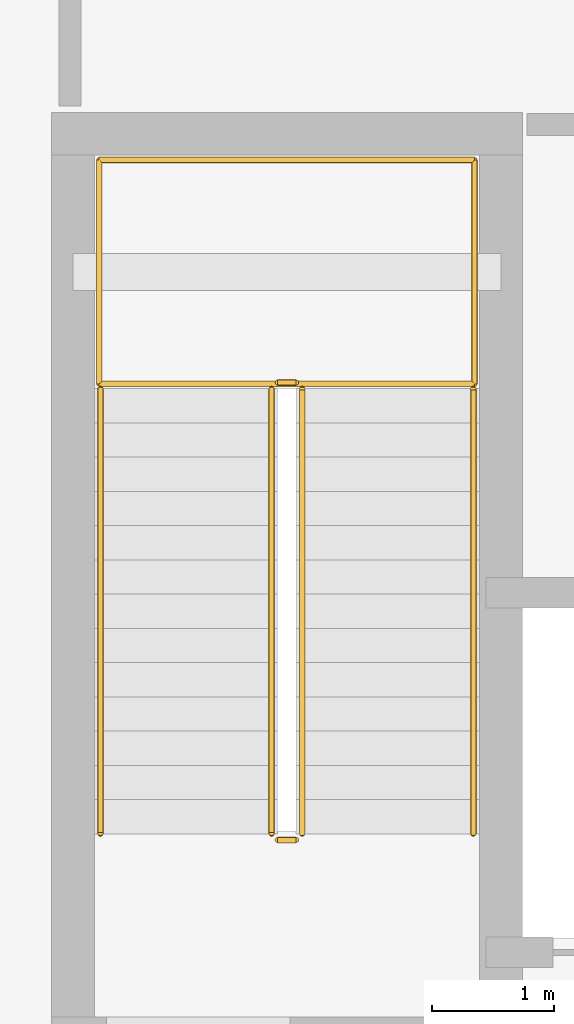
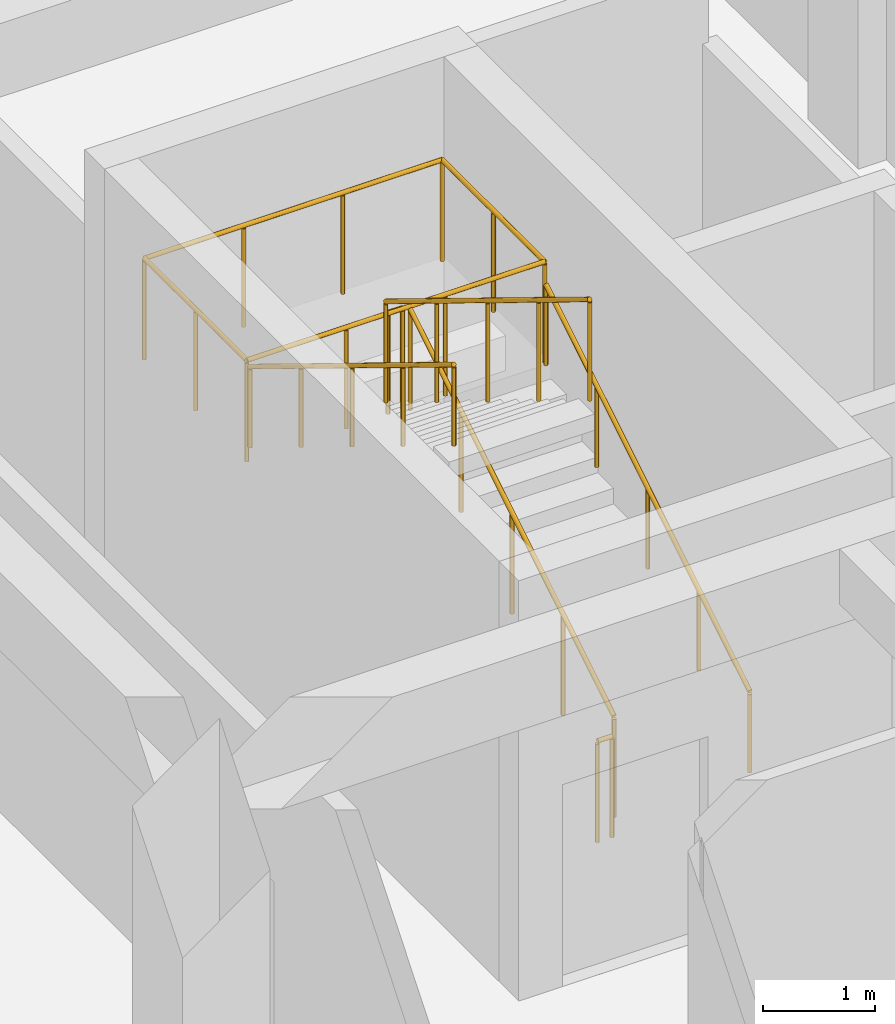
# One storey, part 65 of 68: 8 railings.
"""IFC4 building model written with IfcOpenShell, lengths in metres."""

from ifc_helpers import new_model, si_unit, direction, frame, origin, origin_2d, place, context, subcontext, project, spatial, circle, extrude, material, type_object, element, save


model = new_model("IFC4")

# Units and contexts
model_context = context("Model", 3, precision=1e-05, world=origin(), true_north=direction((0.0, 1.0)))
body_context = subcontext(model_context, "Body", "Model", "MODEL_VIEW")
ifc_project = project(units=[si_unit("LENGTHUNIT", "METRE"), si_unit("AREAUNIT", "SQUARE_METRE"), si_unit("VOLUMEUNIT", "CUBIC_METRE"), si_unit("PLANEANGLEUNIT", "RADIAN"), si_unit("MASSUNIT", "GRAM", prefix="KILO")], contexts=[model_context])

# Site, building, storey
site_placement = place(None, origin())
site = spatial("IfcSite", under=ifc_project, at=site_placement, CompositionType="ELEMENT")
building_placement = place(site_placement, origin())
building = spatial("IfcBuilding", under=site, at=building_placement, Name="Miralva Faculty of Natural Sciences", CompositionType="ELEMENT")
storey_placement = place(building_placement, frame((0.0, 0.0, 5.39990234375)))
storey = spatial("IfcBuildingStorey", under=building, at=storey_placement, Name="L01", CompositionType="ELEMENT", Elevation=5.39990234375)

# Railings
ifc_material = material(Name="Steel S355", Category="steel")
railing_type_1 = type_object("IfcRailingType", Name="RL-GR01", PredefinedType="GUARDRAIL", material=ifc_material)
railing_1_placement = place(storey_placement, frame((15.300048828125, 67.89990234375, 0.171630859375)))
element("IfcRailing", 1, at=railing_1_placement, inside=storey, type_object=railing_type_1, Name="Stair Core C2 safety guard L01-1", PredefinedType="GUARDRAIL", context=body_context, shape_type="SweptSolid", body=[
    extrude(circle(Radius=0.02392578125, at=origin_2d()), frame((0.0, 0.0, 1.09619140625), z_axis=(0.0, 0.852865859571, 0.52213008492), x_axis=(-1.0, 0.0, 0.0)), (0.0, 0.0, 1.0), 4.26806640625),
    extrude(circle(Radius=0.02099609375, at=origin_2d()), origin(), (0.0, 0.0, 1.0), 1.072021484375),
    extrude(circle(Radius=0.02099609375, at=origin_2d()), frame((0.0, 0.91015625, 0.55712890625)), (0.0, 0.0, 1.0), 1.072021484375),
    extrude(circle(Radius=0.02099609375, at=origin_2d()), frame((0.0, 1.820068359375, 1.1142578125)), (0.0, 0.0, 1.0), 1.072021484375),
    extrude(circle(Radius=0.02099609375, at=origin_2d()), frame((0.0, 2.72998046875, 1.67138671875)), (0.0, 0.0, 1.0), 1.072021484375),
    extrude(circle(Radius=0.02099609375, at=origin_2d()), frame((0.0, 3.64013671875, 2.228515625)), (0.0, 0.0, 1.0), 1.072021484375),
])
railing_2_placement = place(storey_placement, frame((15.25, 71.590087890625, 2.400146484375)))
element("IfcRailing", 2, at=railing_2_placement, inside=storey, type_object=railing_type_1, Name="Stair Core C2 safety guard L01-2", PredefinedType="GUARDRAIL", context=body_context, shape_type="SweptSolid", body=[
    extrude(circle(Radius=0.02392578125, at=origin_2d()), frame((0.0, 0.0, 1.09619140625), z_axis=(-1.0, 0.0, 0.0), x_axis=(0.0, -1.0, 0.0)), (0.0, 0.0, 1.0), 0.14990234375),
    extrude(circle(Radius=0.02099609375, at=origin_2d()), origin(), (0.0, 0.0, 1.0), 1.072021484375),
    extrude(circle(Radius=0.02099609375, at=origin_2d()), frame((-0.14990234375, 0.0, 0.0)), (0.0, 0.0, 1.0), 1.072021484375),
])
railing_3_placement = place(storey_placement, frame((15.050048828125, 71.5400390625, 2.571533203125)))
element("IfcRailing", 3, at=railing_3_placement, inside=storey, type_object=railing_type_1, Name="Stair Core C2 safety guard L01-3", PredefinedType="GUARDRAIL", context=body_context, shape_type="SweptSolid", body=[
    extrude(circle(Radius=0.02392578125, at=origin_2d()), frame((0.0, 0.0, 1.09619140625), z_axis=(0.0, -0.852865859571, 0.52213008492), x_axis=(1.0, 0.0, 0.0)), (0.0, 0.0, 1.0), 4.26806640625),
    extrude(circle(Radius=0.02099609375, at=origin_2d()), origin(), (0.0, 0.0, 1.0), 1.072021484375),
    extrude(circle(Radius=0.02099609375, at=origin_2d()), frame((0.0, -0.91015625, 0.55712890625)), (0.0, 0.0, 1.0), 1.072021484375),
    extrude(circle(Radius=0.02099609375, at=origin_2d()), frame((0.0, -1.820068359375, 1.1142578125)), (0.0, 0.0, 1.0), 1.072021484375),
    extrude(circle(Radius=0.02099609375, at=origin_2d()), frame((0.0, -2.72998046875, 1.67138671875)), (0.0, 0.0, 1.0), 1.072021484375),
    extrude(circle(Radius=0.02099609375, at=origin_2d()), frame((0.0, -3.64013671875, 2.228515625)), (0.0, 0.0, 1.0), 1.072021484375),
])
railing_4_placement = place(storey_placement, frame((15.25, 67.85009765625, 0.0)))
element("IfcRailing", 4, at=railing_4_placement, inside=storey, type_object=railing_type_1, Name="Stair Core C2 safety guard L01-4", PredefinedType="GUARDRAIL", context=body_context, shape_type="SweptSolid", body=[
    extrude(circle(Radius=0.02392578125, at=origin_2d()), frame((0.0, 0.0, 1.09619140625), z_axis=(-1.0, 0.0, 0.0), x_axis=(0.0, -1.0, 0.0)), (0.0, 0.0, 1.0), 0.14990234375),
    extrude(circle(Radius=0.02099609375, at=origin_2d()), origin(), (0.0, 0.0, 1.0), 1.072021484375),
    extrude(circle(Radius=0.02099609375, at=origin_2d()), frame((-0.14990234375, 0.0, 0.0)), (0.0, 0.0, 1.0), 1.072021484375),
])
railing_5_placement = place(storey_placement, frame((13.639892578125, 71.580078125, 2.400146484375)))
element("IfcRailing", 5, at=railing_5_placement, inside=storey, type_object=railing_type_1, Name="Stair Core C2 half-landing guard L01-1A", PredefinedType="GUARDRAIL", context=body_context, shape_type="SweptSolid", body=[
    extrude(circle(Radius=0.02392578125, at=origin_2d()), frame((0.0, 0.0, 1.09619140625), z_axis=(0.0, 1.0, 0.0), x_axis=(-1.0, 0.0, 0.0)), (0.0, 0.0, 1.0), 1.829833984375),
    extrude(circle(Radius=0.02392578125, at=origin_2d()), frame((0.0, 1.829833984375, 1.09619140625), z_axis=(1.0, 0.0, 0.0), x_axis=(0.0, 1.0, 0.0)), (0.0, 0.0, 1.0), 3.070068359375),
    extrude(circle(Radius=0.02099609375, at=origin_2d()), origin(), (0.0, 0.0, 1.0), 1.072021484375),
    extrude(circle(Radius=0.02099609375, at=origin_2d()), frame((0.0, 0.9150390625, 0.0)), (0.0, 0.0, 1.0), 1.072021484375),
    extrude(circle(Radius=0.02099609375, at=origin_2d()), frame((0.0, 1.829833984375, 0.0)), (0.0, 0.0, 1.0), 1.072021484375),
    extrude(circle(Radius=0.02099609375, at=origin_2d()), frame((1.0234375, 1.829833984375, 0.0)), (0.0, 0.0, 1.0), 1.072021484375),
    extrude(circle(Radius=0.02099609375, at=origin_2d()), frame((2.046630859375, 1.829833984375, 0.0)), (0.0, 0.0, 1.0), 1.072021484375),
    extrude(circle(Radius=0.02099609375, at=origin_2d()), frame((3.070068359375, 1.829833984375, 0.0)), (0.0, 0.0, 1.0), 1.072021484375),
])
railing_6_placement = place(storey_placement, frame((16.7099609375, 73.409912109375, 2.400146484375)))
element("IfcRailing", 6, at=railing_6_placement, inside=storey, type_object=railing_type_1, Name="Stair Core C2 half-landing guard L01-1B", PredefinedType="GUARDRAIL", context=body_context, shape_type="SweptSolid", body=[
    extrude(circle(Radius=0.02392578125, at=origin_2d()), frame((0.0, 0.0, 1.09619140625), z_axis=(0.0, -1.0, 0.0), x_axis=(1.0, 0.0, 0.0)), (0.0, 0.0, 1.0), 1.829833984375),
    extrude(circle(Radius=0.02392578125, at=origin_2d()), frame((0.0, -1.829833984375, 1.09619140625), z_axis=(-1.0, 0.0, 0.0), x_axis=(0.0, -1.0, 0.0)), (0.0, 0.0, 1.0), 3.070068359375),
    extrude(circle(Radius=0.02099609375, at=origin_2d()), origin(), (0.0, 0.0, 1.0), 1.072021484375),
    extrude(circle(Radius=0.02099609375, at=origin_2d()), frame((0.0, -0.9150390625, 0.0)), (0.0, 0.0, 1.0), 1.072021484375),
    extrude(circle(Radius=0.02099609375, at=origin_2d()), frame((0.0, -1.829833984375, 0.0)), (0.0, 0.0, 1.0), 1.072021484375),
    extrude(circle(Radius=0.02099609375, at=origin_2d()), frame((-1.0234375, -1.829833984375, 0.0)), (0.0, 0.0, 1.0), 1.072021484375),
    extrude(circle(Radius=0.02099609375, at=origin_2d()), frame((-2.046630859375, -1.829833984375, 0.0)), (0.0, 0.0, 1.0), 1.072021484375),
    extrude(circle(Radius=0.02099609375, at=origin_2d()), frame((-3.070068359375, -1.829833984375, 0.0)), (0.0, 0.0, 1.0), 1.072021484375),
])
railing_type_2 = type_object("IfcRailingType", Name="RL-HR01", PredefinedType="HANDRAIL", material=ifc_material)
railing_7_placement = place(storey_placement, frame((16.699951171875, 67.89990234375, 0.171630859375)))
element("IfcRailing", 7, at=railing_7_placement, inside=storey, type_object=railing_type_2, Name="Stair Core C2 handrail L01-1", PredefinedType="HANDRAIL", context=body_context, shape_type="SweptSolid", body=[
    extrude(circle(Radius=0.02392578125, at=origin_2d()), frame((0.0, 0.0, 0.8759765625), z_axis=(0.0, 0.852865859571, 0.52213008492), x_axis=(-1.0, 0.0, 0.0)), (0.0, 0.0, 1.0), 4.26806640625),
    extrude(circle(Radius=0.02099609375, at=origin_2d()), origin(), (0.0, 0.0, 1.0), 0.851806640625),
    extrude(circle(Radius=0.02099609375, at=origin_2d()), frame((0.0, 0.91015625, 0.55712890625)), (0.0, 0.0, 1.0), 0.851806640625),
    extrude(circle(Radius=0.02099609375, at=origin_2d()), frame((0.0, 1.820068359375, 1.1142578125)), (0.0, 0.0, 1.0), 0.851806640625),
    extrude(circle(Radius=0.02099609375, at=origin_2d()), frame((0.0, 2.72998046875, 1.67138671875)), (0.0, 0.0, 1.0), 0.851806640625),
    extrude(circle(Radius=0.02099609375, at=origin_2d()), frame((0.0, 3.64013671875, 2.228515625)), (0.0, 0.0, 1.0), 0.851806640625),
])
railing_8_placement = place(storey_placement, frame((13.64990234375, 71.5400390625, 2.571533203125)))
element("IfcRailing", 8, at=railing_8_placement, inside=storey, type_object=railing_type_2, Name="Stair Core C2 handrail L01-2", PredefinedType="HANDRAIL", context=body_context, shape_type="SweptSolid", body=[
    extrude(circle(Radius=0.02392578125, at=origin_2d()), frame((0.0, 0.0, 0.8759765625), z_axis=(0.0, -0.852865859571, 0.52213008492), x_axis=(1.0, 0.0, 0.0)), (0.0, 0.0, 1.0), 4.26806640625),
    extrude(circle(Radius=0.02099609375, at=origin_2d()), origin(), (0.0, 0.0, 1.0), 0.851806640625),
    extrude(circle(Radius=0.02099609375, at=origin_2d()), frame((0.0, -0.91015625, 0.55712890625)), (0.0, 0.0, 1.0), 0.851806640625),
    extrude(circle(Radius=0.02099609375, at=origin_2d()), frame((0.0, -1.820068359375, 1.1142578125)), (0.0, 0.0, 1.0), 0.851806640625),
    extrude(circle(Radius=0.02099609375, at=origin_2d()), frame((0.0, -2.72998046875, 1.67138671875)), (0.0, 0.0, 1.0), 0.851806640625),
    extrude(circle(Radius=0.02099609375, at=origin_2d()), frame((0.0, -3.64013671875, 2.228515625)), (0.0, 0.0, 1.0), 0.851806640625),
])

save(model, "model.ifc")
